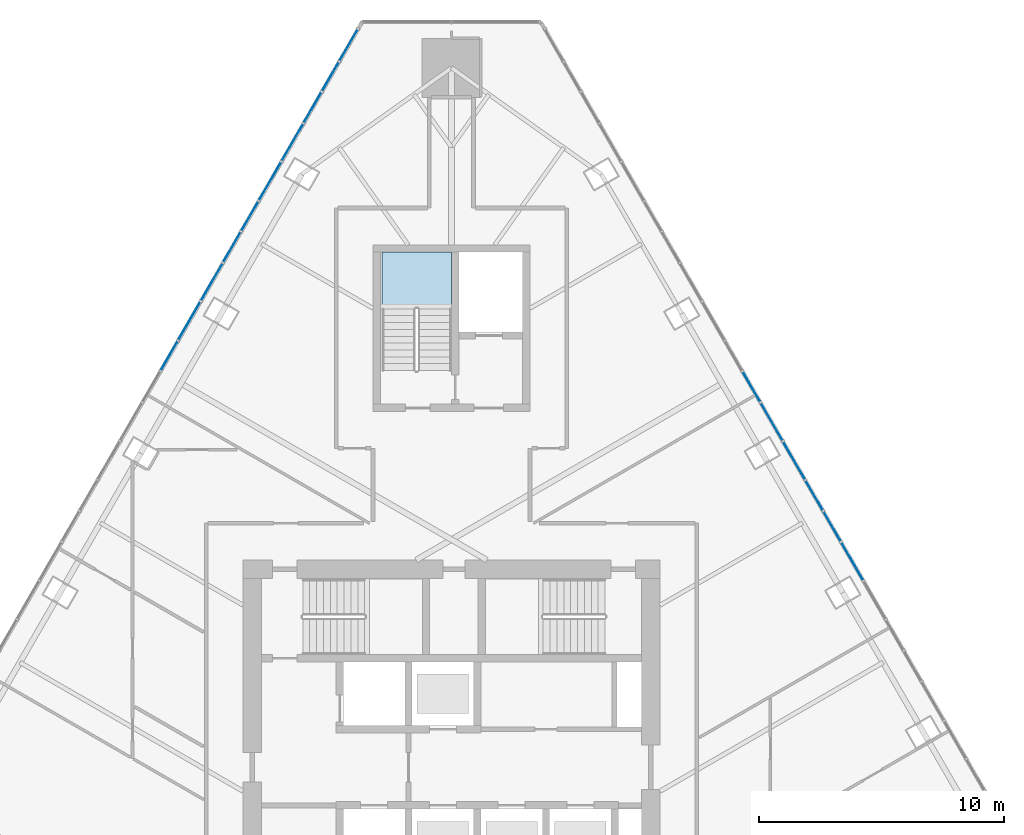
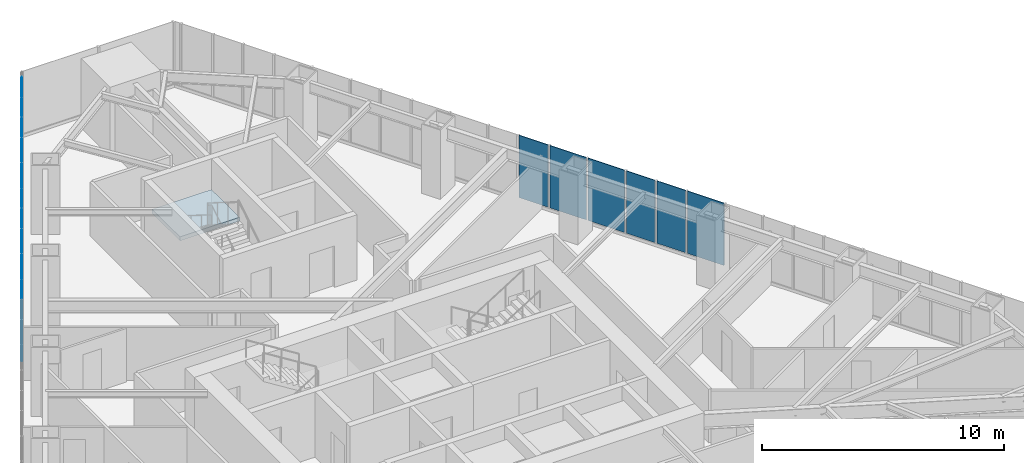
# One storey, part 14 of 21: 16 plates, 1 slab, 3 elements without a shape of their own.
"""IFC4 building model written with IfcOpenShell, lengths in metres."""

from ifc_helpers import new_model, si_unit, direction, frame, origin, place, context, subcontext, project, spatial, polyline, outline, extrude, material, layer, layer_set, type_object, element, aggregate, save


model = new_model("IFC4")

# Units and contexts
model_context = context("Model", 3, precision=1e-05, world=origin(), true_north=direction((0.0, 1.0)))
body_context = subcontext(model_context, "Body", "Model", "MODEL_VIEW")
ifc_project = project(units=[si_unit("LENGTHUNIT", "METRE"), si_unit("AREAUNIT", "SQUARE_METRE"), si_unit("VOLUMEUNIT", "CUBIC_METRE"), si_unit("PLANEANGLEUNIT", "RADIAN"), si_unit("MASSUNIT", "GRAM", prefix="KILO")], contexts=[model_context])

# Site, building, storey
site_placement = place(None, origin())
site = spatial("IfcSite", under=ifc_project, at=site_placement, CompositionType="ELEMENT")
building_placement = place(site_placement, origin())
building = spatial("IfcBuilding", under=site, at=building_placement, Name="Firuza Gate Tower and Library", CompositionType="ELEMENT")
storey_placement = place(building_placement, frame((0.0, 0.0, 274.10009765625)))
storey = spatial("IfcBuildingStorey", under=building, at=storey_placement, Name="L65", CompositionType="ELEMENT", Elevation=274.10009765625)

# Curtain wall, plates
ifc_material_1 = material(Name="Aluminium 6063-T6", Category="aluminium")
ifc_layer_1 = layer(ifc_material_1, 0.14990234375)
ifc_layer_set_1 = layer_set([ifc_layer_1], Name="Unitised curtain wall, residences")
curtain_wall_type = type_object("IfcCurtainWallType", Name="Unitised curtain wall, residences", PredefinedType="NOTDEFINED", material=ifc_layer_set_1)
placement = place(storey_placement, origin())
curtain_wall_1 = element("IfcCurtainWall", 1, at=placement, inside=storey, type_object=curtain_wall_type, Name="CW3 L65 E face", PredefinedType="NOTDEFINED")
ifc_material_2 = material(Name="Fritted glass", Category="glass")
ifc_layer_2 = layer(ifc_material_2, 0.030029296875)
ifc_layer_set_2 = layer_set([ifc_layer_2], Name="Fritted glass unit, residences")
plate_type_1 = type_object("IfcPlateType", Name="Fritted glass unit, residences", PredefinedType="CURTAIN_PANEL", material=ifc_layer_set_2)
plate_1_placement = place(storey_placement, frame((91.791748046875, 80.943359375, 0.14990234375), z_axis=(0.866011380966, 0.500024287448, 0.0), x_axis=(-0.500024287448, 0.866011380966, 0.0)))
plate_1 = element("IfcPlate", 2, at=plate_1_placement, type_object=plate_type_1, Name="Glass unit", PredefinedType="CURTAIN_PANEL", context=body_context, shape_type="SweptSolid", body=[
    extrude(outline(polyline([(0.0, 0.0), (1.7504032555949989, 0.0), (1.7504032555949989, 3.14990234375), (0.0, 3.14990234375), (0.0, 0.0)])), origin(), (0.0, 0.0, -1.0), 0.030029296875),
])
plate_2_placement = place(storey_placement, frame((89.418212890625, 85.054443359375, 0.14990234375), z_axis=(0.866011380966, 0.500024287448, 0.0), x_axis=(-0.500024287448, 0.866011380966, 0.0)))
plate_2 = element("IfcPlate", 3, at=plate_2_placement, type_object=plate_type_1, Name="Glass unit", PredefinedType="CURTAIN_PANEL", context=body_context, shape_type="SweptSolid", body=[
    extrude(outline(polyline([(0.0, 0.0), (1.7504032555949989, 0.0), (1.7504032555949989, 3.14990234375), (0.0, 3.14990234375), (0.0, 0.0)])), origin(), (0.0, 0.0, -1.0), 0.030029296875),
])
plate_3_placement = place(storey_placement, frame((88.5029296875, 86.6396484375, 0.14990234375), z_axis=(0.866021861762, 0.500006134913, 0.0), x_axis=(-0.500006134913, 0.866021861762, 0.0)))
plate_3 = element("IfcPlate", 4, at=plate_3_placement, type_object=plate_type_1, Name="Glass unit", PredefinedType="CURTAIN_PANEL", context=body_context, shape_type="SweptSolid", body=[
    extrude(outline(polyline([(0.0, 0.0), (1.7382599218538815, 0.0), (1.7382599218538815, 3.14990234375), (0.0, 3.14990234375), (0.0, 0.0)])), origin(), (0.0, 0.0, -1.0), 0.030029296875),
])

curtain_wall_2 = element("IfcCurtainWall", 5, at=placement, inside=storey, type_object=curtain_wall_type, Name="CW3 L65 W face", PredefinedType="NOTDEFINED")
plate_4_placement = place(storey_placement, frame((71.158203125, 103.373046875, 0.14990234375), z_axis=(-0.866037657489, 0.499978775361, 0.0), x_axis=(-0.499978775361, -0.866037657489, 0.0)))
plate_4 = element("IfcPlate", 6, at=plate_4_placement, type_object=plate_type_1, Name="Glass unit", PredefinedType="CURTAIN_PANEL", context=body_context, shape_type="SweptSolid", body=[
    extrude(outline(polyline([(0.0, 0.0), (1.4566048005727479, 0.0), (1.4566048005727479, 3.14990234375), (0.0, 3.14990234375), (0.0, 0.0)])), origin(), (0.0, 0.0, -1.0), 0.030029296875),
])
plate_5_placement = place(storey_placement, frame((68.931640625, 99.5166015625, 0.14990234375), z_axis=(-0.866033729024, 0.499985579985, 0.0), x_axis=(-0.499985579985, -0.866033729024, 0.0)))
plate_5 = element("IfcPlate", 7, at=plate_5_placement, type_object=plate_type_1, Name="Glass unit", PredefinedType="CURTAIN_PANEL", context=body_context, shape_type="SweptSolid", body=[
    extrude(outline(polyline([(0.0, 0.0), (1.7134283215758555, 0.0), (1.7134283215758555, 3.1499023437499996), (0.0, 3.1499023437499996), (0.0, 0.0)])), origin(), (0.0, 0.0, -1.0), 0.030029296875),
])
plate_6_placement = place(storey_placement, frame((68.034912109375, 97.96337890625, 0.14990234375), z_axis=(-0.866034453953, 0.499984324321, 0.0), x_axis=(-0.499984324321, -0.866034453953, 0.0)))
plate_6 = element("IfcPlate", 8, at=plate_6_placement, type_object=plate_type_1, Name="Glass unit", PredefinedType="CURTAIN_PANEL", context=body_context, shape_type="SweptSolid", body=[
    extrude(outline(polyline([(0.0, 0.0), (1.7754462876527597, 0.0), (1.7754462876527597, 3.14990234375), (0.0, 3.14990234375), (0.0, 0.0)])), origin(), (0.0, 0.0, -1.0), 0.030029296875),
])
plate_7_placement = place(storey_placement, frame((65.64892578125, 93.830810546875, 0.14990234375), z_axis=(-0.865997125063, 0.500048976984, 0.0), x_axis=(-0.500048976984, -0.865997125063, 0.0)))
plate_7 = element("IfcPlate", 9, at=plate_7_placement, type_object=plate_type_1, Name="Glass unit", PredefinedType="CURTAIN_PANEL", context=body_context, shape_type="SweptSolid", body=[
    extrude(outline(polyline([(0.0, 0.0), (1.7259051594906447, 0.0), (1.7259051594906447, 3.14990234375), (0.0, 3.14990234375), (0.0, 0.0)])), origin(), (0.0, 0.0, -1.0), 0.030029296875),
])
plate_8_placement = place(storey_placement, frame((64.74609375, 92.266845703125, 0.14990234375), z_axis=(-0.866010328312, 0.500026110575, 0.0), x_axis=(-0.500026110575, -0.866010328312, 0.0)))
plate_8 = element("IfcPlate", 10, at=plate_8_placement, type_object=plate_type_1, Name="Glass unit", PredefinedType="CURTAIN_PANEL", context=body_context, shape_type="SweptSolid", body=[
    extrude(outline(polyline([(0.0, 0.0), (1.7630915230835504, 0.0), (1.7630915230835504, 3.14990234375), (0.0, 3.14990234375), (0.0, 0.0)])), origin(), (0.0, 0.0, -1.0), 0.030029296875),
])

# Plate
ifc_material_3 = material(Name="Glazed ceramic tile")
ifc_layer_3 = layer(ifc_material_3, 0.030029296875)
ifc_layer_set_3 = layer_set([ifc_layer_3], Name="Opaque ceramic panel, residences")
plate_type_2 = type_object("IfcPlateType", Name="Opaque ceramic panel, residences", PredefinedType="CURTAIN_PANEL", material=ifc_layer_set_3)
plate_9_placement = place(storey_placement, frame((90.87646484375, 82.528564453125, 0.14990234375), z_axis=(0.865999743714, 0.500044441912, 0.0), x_axis=(-0.500044441912, 0.865999743714, 0.0)))
plate_9 = element("IfcPlate", 11, at=plate_9_placement, type_object=plate_type_2, Name="Opaque ceramic panel", PredefinedType="CURTAIN_PANEL", context=body_context, shape_type="SweptSolid", body=[
    extrude(outline(polyline([(0.0, 0.0), (1.3782954605800524, 0.0), (1.3782954605800524, 3.14990234375), (0.0, 3.14990234375), (0.0, 0.0)])), origin(), (0.0, 0.0, -1.0), 0.030029296875),
])

plate_10_placement = place(storey_placement, frame((90.147216796875, 83.79150390625, 0.14990234375), z_axis=(0.866076445392, 0.49991158292, 0.0), x_axis=(-0.49991158292, 0.866076445392, 0.0)))
plate_10 = element("IfcPlate", 12, at=plate_10_placement, type_object=plate_type_2, Name="Opaque ceramic panel", PredefinedType="CURTAIN_PANEL", context=body_context, shape_type="SweptSolid", body=[
    extrude(outline(polyline([(0.0, 0.0), (1.3781733956348967, 0.0), (1.3781733956348967, 3.14990234375), (0.0, 3.14990234375), (0.0, 0.0)])), origin(), (0.0, 0.0, -1.0), 0.030029296875),
])

plate_11_placement = place(storey_placement, frame((87.59375, 88.21435546875, 0.14990234375), z_axis=(0.866030639775, 0.499990930889, 0.0), x_axis=(-0.499990930889, 0.866030639775, 0.0)))
plate_11 = element("IfcPlate", 13, at=plate_11_placement, type_object=plate_type_2, Name="Opaque ceramic panel", PredefinedType="CURTAIN_PANEL", context=body_context, shape_type="SweptSolid", body=[
    extrude(outline(polyline([(0.0, 0.0), (1.3906502239211345, 0.0), (1.3906502239211345, 3.149902343750001), (0.0, 3.149902343750001), (0.0, 0.0)])), origin(), (0.0, 0.0, -1.0), 0.030029296875),
])

aggregate(curtain_wall_1, [plate_1, plate_9, plate_10, plate_2, plate_3, plate_11])

plate_12_placement = place(storey_placement, frame((70.389892578125, 102.042236328125, 0.14990234375), z_axis=(-0.865982457891, 0.500074377092, 0.0), x_axis=(-0.500074377092, -0.865982457891, 0.0)))
plate_12 = element("IfcPlate", 14, at=plate_12_placement, type_object=plate_type_2, Name="Opaque ceramic panel", PredefinedType="CURTAIN_PANEL", context=body_context, shape_type="SweptSolid", body=[
    extrude(outline(polyline([(0.0, 0.0), (1.3411090981597318, 0.0), (1.3411090981597318, 3.14990234375), (0.0, 3.14990234375), (0.0, 0.0)])), origin(), (0.0, 0.0, -1.0), 0.030029296875),
])

plate_13_placement = place(storey_placement, frame((69.67919921875, 100.8115234375, 0.14990234375), z_axis=(-0.866047690699, 0.499961395945, 0.0), x_axis=(-0.499961395945, -0.866047690699, 0.0)))
plate_13 = element("IfcPlate", 15, at=plate_13_placement, type_object=plate_type_2, Name="Opaque ceramic panel", PredefinedType="CURTAIN_PANEL", context=body_context, shape_type="SweptSolid", body=[
    extrude(outline(polyline([(0.0, 0.0), (1.4151483234269029, 0.0), (1.4151483234269029, 3.14990234375), (0.0, 3.14990234375), (0.0, 0.0)])), origin(), (0.0, 0.0, -1.0), 0.030029296875),
])

plate_14_placement = place(storey_placement, frame((67.107177734375, 96.3564453125, 0.14990234375), z_axis=(-0.86601436245, 0.500019123664, 0.0), x_axis=(-0.500019123664, -0.86601436245, 0.0)))
plate_14 = element("IfcPlate", 16, at=plate_14_placement, type_object=plate_type_2, Name="Opaque ceramic panel", PredefinedType="CURTAIN_PANEL", context=body_context, shape_type="SweptSolid", body=[
    extrude(outline(polyline([(0.0, 0.0), (1.3534638586232268, 0.0), (1.3534638586232268, 3.149902343750001), (0.0, 3.149902343750001), (0.0, 0.0)])), origin(), (0.0, 0.0, -1.0), 0.030029296875),
])

plate_15_placement = place(storey_placement, frame((66.390380859375, 95.114990234375, 0.14990234375), z_axis=(-0.866017486206, 0.500013713398, 0.0), x_axis=(-0.500013713398, -0.866017486206, 0.0)))
plate_15 = element("IfcPlate", 17, at=plate_15_placement, type_object=plate_type_2, Name="Opaque ceramic panel", PredefinedType="CURTAIN_PANEL", context=body_context, shape_type="SweptSolid", body=[
    extrude(outline(polyline([(0.0, 0.0), (1.4027935571171237, 0.0), (1.4027935571171237, 3.14990234375), (0.0, 3.14990234375), (0.0, 0.0)])), origin(), (0.0, 0.0, -1.0), 0.030029296875),
])

plate_16_placement = place(storey_placement, frame((63.824462890625, 90.6708984375, 0.14990234375), z_axis=(-0.866045686382, 0.499964867866, 0.0), x_axis=(-0.499964867866, -0.866045686382, 0.0)))
plate_16 = element("IfcPlate", 18, at=plate_16_placement, type_object=plate_type_2, Name="Opaque ceramic panel", PredefinedType="CURTAIN_PANEL", context=body_context, shape_type="SweptSolid", body=[
    extrude(outline(polyline([(0.0, 0.0), (1.3658186244967807, 0.0), (1.3658186244967807, 3.14990234375), (0.0, 3.14990234375), (0.0, 0.0)])), origin(), (0.0, 0.0, -1.0), 0.030029296875),
])

aggregate(curtain_wall_2, [plate_4, plate_12, plate_13, plate_5, plate_6, plate_14, plate_15, plate_7, plate_8, plate_16])

# Stair, slab
ifc_material_4 = material(Name="Concrete C35/45", Category="concrete")
stair_type = type_object("IfcStairType", Name="Exit stair ST17", PredefinedType="HALF_TURN_STAIR", material=ifc_material_4)
stair = element("IfcStair", 19, at=placement, inside=storey, type_object=stair_type, Name="L65 Stair ST3", PredefinedType="HALF_TURN_STAIR")
ifc_material_5 = material(Name="Concrete C35/45", Category="concrete")
ifc_layer_4 = layer(ifc_material_5, 0.199951171875)
ifc_layer_set_4 = layer_set([ifc_layer_4], Name="Stair landing 200")
slab_type = type_object("IfcSlabType", Name="Stair landing 200", PredefinedType="LANDING", material=ifc_layer_set_4)
slab_placement = place(storey_placement, frame((0.0, 0.0, 1.5498046875)))
slab = element("IfcSlab", 20, at=slab_placement, type_object=slab_type, Name="ST3 landing 1", PredefinedType="LANDING", context=body_context, shape_type="SweptSolid", body=[
    extrude(outline(polyline([(75.0, 91.989990234375), (75.0, 94.300048828125), (72.159912109375, 94.300048828125), (72.159912109375, 91.989990234375), (75.0, 91.989990234375)])), origin(), (0.0, 0.0, 1.0), 0.2001953125),
])
aggregate(stair, [slab])

save(model, "model.ifc")
